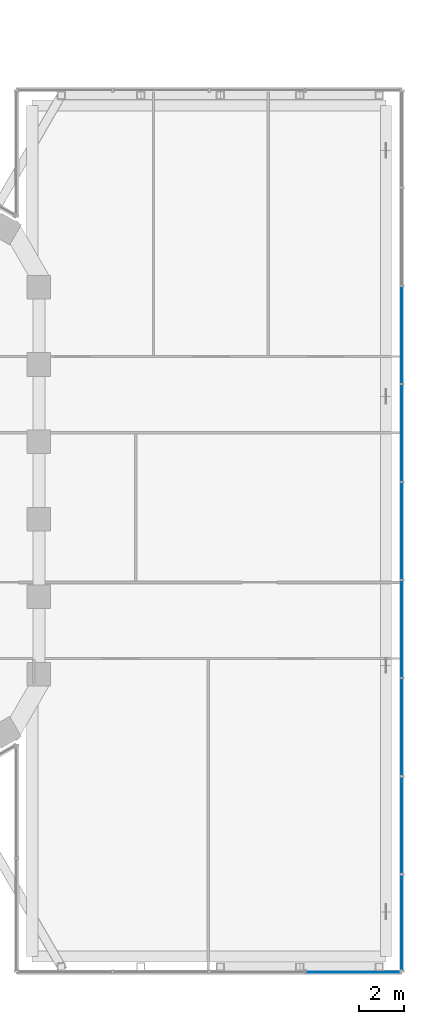
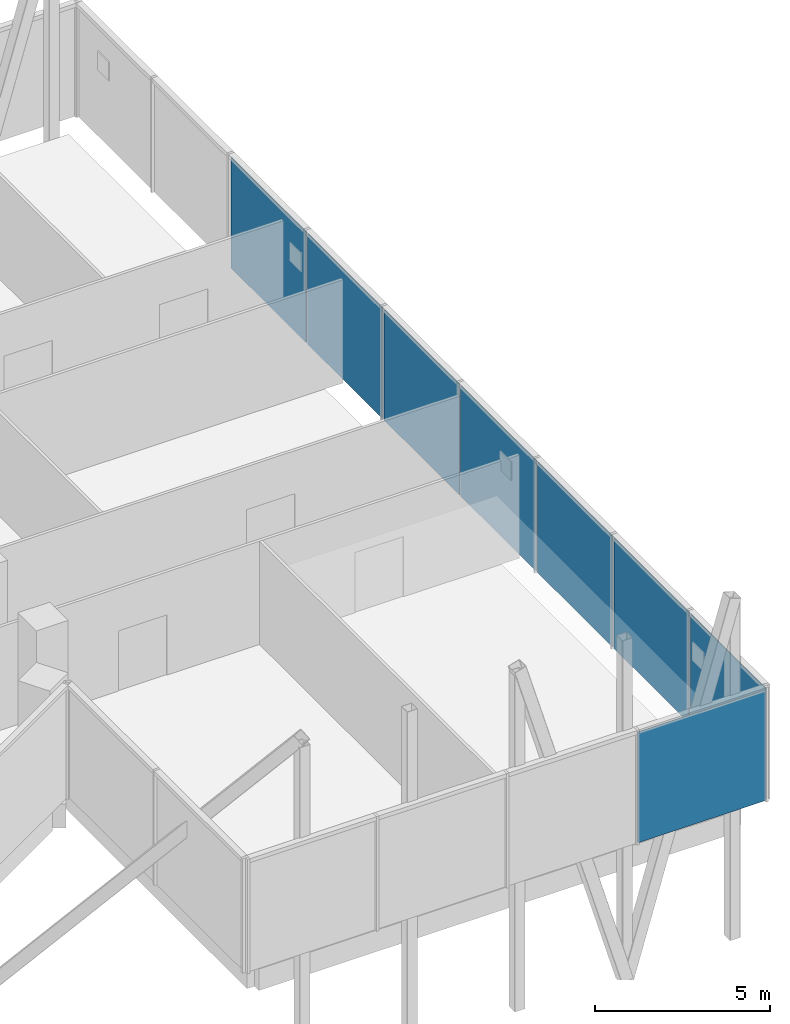
# One storey, part 15 of 24: 8 plates, 2 elements without a shape of their own.
"""IFC4 building model written with IfcOpenShell, lengths in metres."""

from ifc_helpers import new_model, si_unit, direction, frame, origin, origin_2d, place, context, subcontext, project, spatial, rectangle, extrude, material, layer, layer_set, type_object, element, aggregate, save


model = new_model("IFC4")

# Units and contexts
model_context = context("Model", 3, precision=1e-05, world=origin(), true_north=direction((0.0, 1.0)))
body_context = subcontext(model_context, "Body", "Model", "MODEL_VIEW")
ifc_project = project(units=[si_unit("LENGTHUNIT", "METRE"), si_unit("AREAUNIT", "SQUARE_METRE"), si_unit("VOLUMEUNIT", "CUBIC_METRE"), si_unit("PLANEANGLEUNIT", "RADIAN"), si_unit("MASSUNIT", "GRAM", prefix="KILO")], contexts=[model_context])

# Site, building, storey
site_placement = place(None, origin())
site = spatial("IfcSite", under=ifc_project, at=site_placement, CompositionType="ELEMENT")
building_placement = place(site_placement, origin())
building = spatial("IfcBuilding", under=site, at=building_placement, Name="Ayvan Gate Tower", CompositionType="ELEMENT")
storey_placement = place(building_placement, frame((0.0, 0.0, 124.5)))
storey = spatial("IfcBuildingStorey", under=building, at=storey_placement, Name="L33", CompositionType="ELEMENT", Elevation=124.5)

# Curtain wall, plate
ifc_material_1 = material(Name="Bronze anodised aluminium", Category="aluminium")
ifc_layer_1 = layer(ifc_material_1, 0.199951171875)
ifc_layer_set_1 = layer_set([ifc_layer_1], Name="Bronze anodised aluminium")
curtain_wall_type = type_object("IfcCurtainWallType", Name="Stick curtain wall CW-4", PredefinedType="NOTDEFINED", material=ifc_layer_set_1)
curtain_wall_1_placement = place(storey_placement, origin())
curtain_wall_1 = element("IfcCurtainWall", 1, at=curtain_wall_1_placement, inside=storey, type_object=curtain_wall_type, Name="Stick curtain wall CW-4 L33", PredefinedType="NOTDEFINED")
ifc_material_2 = material(Name="Pale anodised aluminium composite panel", Category="aluminium")
ifc_layer_2 = layer(ifc_material_2, 0.028076171875)
ifc_layer_set_2 = layer_set([ifc_layer_2], Name="Pale anodised aluminium composite panel")
plate_type = type_object("IfcPlateType", Name="Stick curtain wall CW-4 solid panel", PredefinedType="CURTAIN_PANEL", material=ifc_layer_set_2)
plate_1_placement = place(storey_placement, frame((33.53564453125, -21.949951171875, 0.0), z_axis=(0.0, 0.0, 1.0), x_axis=(1.0, 0.0, 0.0)))
plate_1 = element("IfcPlate", 2, at=plate_1_placement, type_object=plate_type, Name="CW-4 solid panel 4", PredefinedType="CURTAIN_PANEL", context=body_context, shape_type="SweptSolid", body=[
    extrude(rectangle(XDim=4.219970703125, YDim=0.028076171875, at=origin_2d()), origin(), (0.0, 0.0, 1.0), 3.860107421875),
])
aggregate(curtain_wall_1, [plate_1])

# Curtain wall, plates
curtain_wall_2_placement = place(storey_placement, origin())
curtain_wall_2 = element("IfcCurtainWall", 3, at=curtain_wall_2_placement, inside=storey, type_object=curtain_wall_type, Name="Stick curtain wall CW-4 L33", PredefinedType="NOTDEFINED")
plate_2_placement = place(storey_placement, frame((35.685546875, -19.76123046875, 0.0), z_axis=(0.0, 0.0, 1.0), x_axis=(0.0, 1.0, 0.0)))
plate_2 = element("IfcPlate", 4, at=plate_2_placement, type_object=plate_type, Name="CW-4 solid panel 1", PredefinedType="CURTAIN_PANEL", context=body_context, shape_type="SweptSolid", body=[
    extrude(rectangle(XDim=4.2978515625, YDim=0.028076171875, at=origin_2d()), origin(), (0.0, 0.0, 1.0), 3.860107421875),
])
plate_3_placement = place(storey_placement, frame((35.685546875, -15.38330078125, 0.0), z_axis=(0.0, 0.0, 1.0), x_axis=(0.0, 1.0, 0.0)))
plate_3 = element("IfcPlate", 5, at=plate_3_placement, type_object=plate_type, Name="CW-4 solid panel 2", PredefinedType="CURTAIN_PANEL", context=body_context, shape_type="SweptSolid", body=[
    extrude(rectangle(XDim=4.2978515625, YDim=0.028076171875, at=origin_2d()), origin(), (0.0, 0.0, 1.0), 3.860107421875),
])
plate_4_placement = place(storey_placement, frame((35.685546875, -11.005615234375, 0.0), z_axis=(0.0, 0.0, 1.0), x_axis=(0.0, 1.0, 0.0)))
plate_4 = element("IfcPlate", 6, at=plate_4_placement, type_object=plate_type, Name="CW-4 solid panel 3", PredefinedType="CURTAIN_PANEL", context=body_context, shape_type="SweptSolid", body=[
    extrude(rectangle(XDim=4.2978515625, YDim=0.028076171875, at=origin_2d()), origin(), (0.0, 0.0, 1.0), 3.860107421875),
])
plate_5_placement = place(storey_placement, frame((35.685546875, -6.627685546875, 0.0), z_axis=(0.0, 0.0, 1.0), x_axis=(0.0, 1.0, 0.0)))
plate_5 = element("IfcPlate", 7, at=plate_5_placement, type_object=plate_type, Name="CW-4 solid panel 4", PredefinedType="CURTAIN_PANEL", context=body_context, shape_type="SweptSolid", body=[
    extrude(rectangle(XDim=4.2978515625, YDim=0.028076171875, at=origin_2d()), origin(), (0.0, 0.0, 1.0), 3.860107421875),
])
plate_6_placement = place(storey_placement, frame((35.685546875, -2.25, 0.0), z_axis=(0.0, 0.0, 1.0), x_axis=(0.0, 1.0, 0.0)))
plate_6 = element("IfcPlate", 8, at=plate_6_placement, type_object=plate_type, Name="CW-4 solid panel 5", PredefinedType="CURTAIN_PANEL", context=body_context, shape_type="SweptSolid", body=[
    extrude(rectangle(XDim=4.2978515625, YDim=0.028076171875, at=origin_2d()), origin(), (0.0, 0.0, 1.0), 3.860107421875),
])
plate_7_placement = place(storey_placement, frame((35.685546875, 2.127685546875, 0.0), z_axis=(0.0, 0.0, 1.0), x_axis=(0.0, 1.0, 0.0)))
plate_7 = element("IfcPlate", 9, at=plate_7_placement, type_object=plate_type, Name="CW-4 solid panel 6", PredefinedType="CURTAIN_PANEL", context=body_context, shape_type="SweptSolid", body=[
    extrude(rectangle(XDim=4.2978515625, YDim=0.028076171875, at=origin_2d()), origin(), (0.0, 0.0, 1.0), 3.860107421875),
])
plate_8_placement = place(storey_placement, frame((35.685546875, 6.505615234375, 0.0), z_axis=(0.0, 0.0, 1.0), x_axis=(0.0, 1.0, 0.0)))
plate_8 = element("IfcPlate", 10, at=plate_8_placement, type_object=plate_type, Name="CW-4 solid panel 7", PredefinedType="CURTAIN_PANEL", context=body_context, shape_type="SweptSolid", body=[
    extrude(rectangle(XDim=4.2978515625, YDim=0.028076171875, at=origin_2d()), origin(), (0.0, 0.0, 1.0), 3.860107421875),
])
aggregate(curtain_wall_2, [plate_2, plate_3, plate_4, plate_5, plate_6, plate_7, plate_8])

save(model, "model.ifc")
